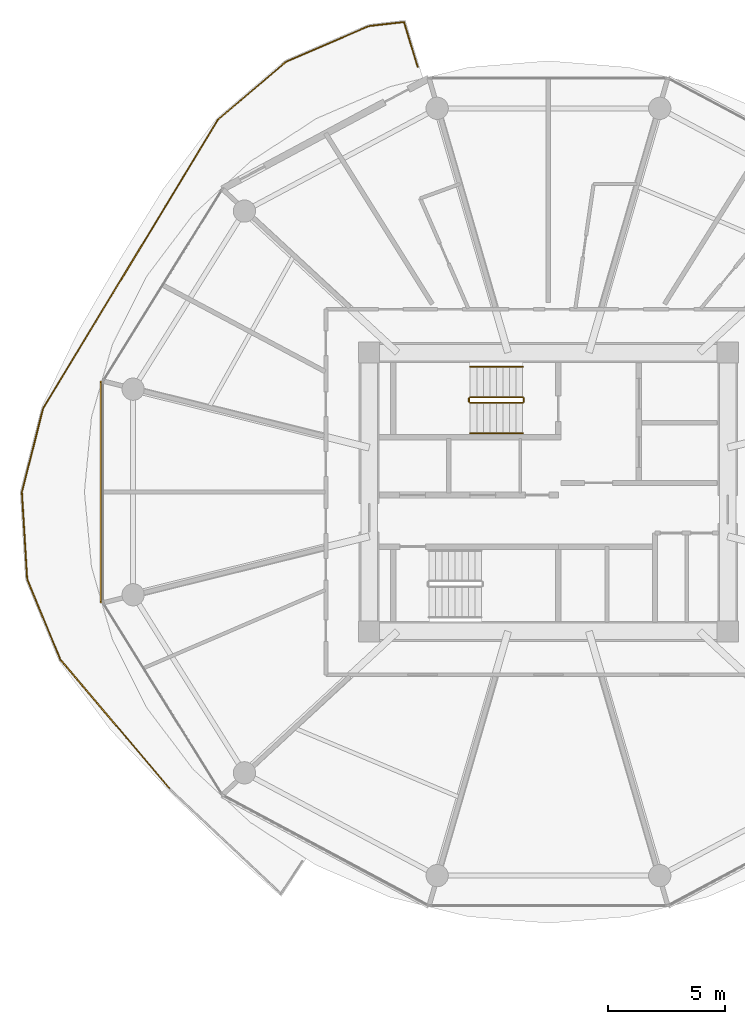
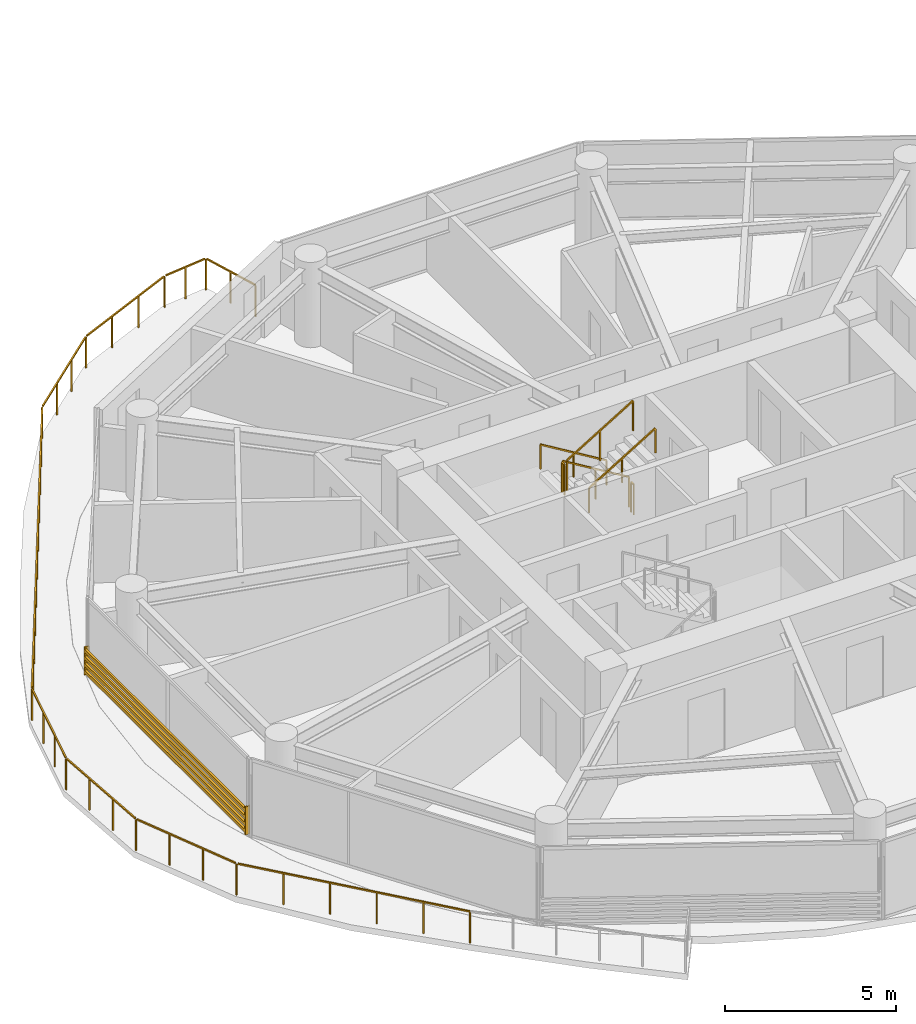
# One storey, part 24 of 27: 7 railings, 1 shading device.
"""IFC4 building model written with IfcOpenShell, lengths in metres."""

from ifc_helpers import new_model, si_unit, direction, frame, origin, origin_2d, place, context, subcontext, project, spatial, rectangle, extrude, source, transform, mapped, material, type_object, type_shapes, element, save


model = new_model("IFC4")

# Units and contexts
model_context = context("Model", 3, precision=1e-05, world=origin(), true_north=direction((0.0, 1.0)))
body_context = subcontext(model_context, "Body", "Model", "MODEL_VIEW")
ifc_project = project(units=[si_unit("LENGTHUNIT", "METRE"), si_unit("AREAUNIT", "SQUARE_METRE"), si_unit("VOLUMEUNIT", "CUBIC_METRE"), si_unit("PLANEANGLEUNIT", "RADIAN"), si_unit("MASSUNIT", "GRAM", prefix="KILO")], contexts=[model_context])

# Site, building, storey
site_placement = place(None, origin())
site = spatial("IfcSite", under=ifc_project, at=site_placement, CompositionType="ELEMENT")
building_placement = place(site_placement, origin())
building = spatial("IfcBuilding", under=site, at=building_placement, Name="Norrkilde Senior Care Towers", CompositionType="ELEMENT")
storey_placement = place(building_placement, frame((0.0, 0.0, 33.800048828125)))
storey = spatial("IfcBuildingStorey", under=building, at=storey_placement, Name="L09", CompositionType="ELEMENT", Elevation=33.800048828125)

# Railings
ifc_material_1 = material(Name="Anodised Aluminium", Category="aluminium")
railing_type_1 = type_object("IfcRailingType", Name="Balcony Swirl Ribbon Guardrail 1150", PredefinedType="GUARDRAIL", material=ifc_material_1)
railing_1_placement = place(storey_placement, frame((-44.135009765625, -12.69580078125, 0.0)))
element("IfcRailing", 1, at=railing_1_placement, inside=storey, type_object=railing_type_1, Name="L09 Perimeter Safety Guard 03", PredefinedType="GUARDRAIL", context=body_context, shape_type="SweptSolid", body=[
    extrude(rectangle(XDim=0.048095703125, YDim=0.048095703125, at=origin_2d()), frame((0.0, 0.0, 1.1259765625), z_axis=(-0.646341346736, 0.763048401806, 0.0), x_axis=(-0.763048401806, -0.646341346736, 0.0)), (0.0, 0.0, 1.0), 7.224365234375),
    extrude(rectangle(XDim=0.048095703125, YDim=0.048095703125, at=origin_2d()), frame((-4.71142578125, 5.58154296875, 1.1259765625), z_axis=(-0.380710181221, 0.92469441326, 0.0), x_axis=(-0.92469441326, -0.380710181221, 0.0)), (0.0, 0.0, 1.0), 3.636962890625),
    extrude(rectangle(XDim=0.048095703125, YDim=0.048095703125, at=origin_2d()), frame((-6.114013671875, 9.023193359375, 1.1259765625), z_axis=(-0.060564549995, 0.998164282713, 0.0), x_axis=(-0.998164282713, -0.060564549995, 0.0)), (0.0, 0.0, 1.0), 3.630859375),
    extrude(rectangle(XDim=0.048095703125, YDim=0.048095703125, at=origin_2d()), frame((-6.326416015625, 12.727783203125, 1.1259765625), z_axis=(0.245488683114, 0.969399456603, 0.0), x_axis=(-0.969399456603, 0.245488683114, 0.0)), (0.0, 0.0, 1.0), 3.61279296875),
    extrude(rectangle(XDim=0.048095703125, YDim=0.048095703125, at=origin_2d()), frame((-5.408203125, 16.3046875, 1.1259765625), z_axis=(0.518147953239, 0.855291002264, 0.0), x_axis=(-0.855291002264, 0.518147953239, 0.0)), (0.0, 0.0, 1.0), 14.311279296875),
    extrude(rectangle(XDim=0.048095703125, YDim=0.048095703125, at=origin_2d()), frame((2.059326171875, 28.606689453125, 1.1259765625), z_axis=(0.761313294417, 0.648384197636, 0.0), x_axis=(-0.648384197636, 0.761313294417, 0.0)), (0.0, 0.0, 1.0), 3.740478515625),
    extrude(rectangle(XDim=0.048095703125, YDim=0.048095703125, at=origin_2d()), frame((4.975830078125, 31.074462890625, 1.1259765625), z_axis=(0.918705497564, 0.394943298139, 0.0), x_axis=(-0.394943298139, 0.918705497564, 0.0)), (0.0, 0.0, 1.0), 3.773193359375),
    extrude(rectangle(XDim=0.048095703125, YDim=0.048095703125, at=origin_2d()), frame((8.520263671875, 32.58544921875, 1.1259765625), z_axis=(0.993588653544, 0.113055683401, 0.0), x_axis=(-0.113055683401, 0.993588653544, 0.0)), (0.0, 0.0, 1.0), 1.419189453125),
    extrude(rectangle(XDim=0.048095703125, YDim=0.048095703125, at=origin_2d()), frame((9.98291015625, 32.71142578125, 1.1259765625), z_axis=(0.290133159609, -0.956986285009, 0.0), x_axis=(0.956986285009, 0.290133159609, 0.0)), (0.0, 0.0, 1.0), 1.95263671875),
    extrude(rectangle(XDim=0.0419921875, YDim=0.0419921875, at=origin_2d()), origin(), (0.0, 0.0, 1.0), 1.099853515625),
    extrude(rectangle(XDim=0.0419921875, YDim=0.0419921875, at=origin_2d()), frame((-0.939208984375, 1.108642578125, 0.0)), (0.0, 0.0, 1.0), 1.099853515625),
    extrude(rectangle(XDim=0.0419921875, YDim=0.0419921875, at=origin_2d()), frame((-1.87841796875, 2.217529296875, 0.0)), (0.0, 0.0, 1.0), 1.099853515625),
    extrude(rectangle(XDim=0.0419921875, YDim=0.0419921875, at=origin_2d()), frame((-2.8173828125, 3.326171875, 0.0)), (0.0, 0.0, 1.0), 1.099853515625),
    extrude(rectangle(XDim=0.0419921875, YDim=0.0419921875, at=origin_2d()), frame((-3.756591796875, 4.43505859375, 0.0)), (0.0, 0.0, 1.0), 1.099853515625),
    extrude(rectangle(XDim=0.0419921875, YDim=0.0419921875, at=origin_2d()), frame((-4.69580078125, 5.543701171875, 0.0)), (0.0, 0.0, 1.0), 1.099853515625),
    extrude(rectangle(XDim=0.0419921875, YDim=0.0419921875, at=origin_2d()), frame((-5.167724609375, 6.68994140625, 0.0)), (0.0, 0.0, 1.0), 1.099853515625),
    extrude(rectangle(XDim=0.0419921875, YDim=0.0419921875, at=origin_2d()), frame((-5.6396484375, 7.836181640625, 0.0)), (0.0, 0.0, 1.0), 1.099853515625),
    extrude(rectangle(XDim=0.0419921875, YDim=0.0419921875, at=origin_2d()), frame((-6.111572265625, 8.982421875, 0.0)), (0.0, 0.0, 1.0), 1.099853515625),
    extrude(rectangle(XDim=0.0419921875, YDim=0.0419921875, at=origin_2d()), frame((-6.1865234375, 10.2177734375, 0.0)), (0.0, 0.0, 1.0), 1.099853515625),
    extrude(rectangle(XDim=0.0419921875, YDim=0.0419921875, at=origin_2d()), frame((-6.261474609375, 11.452880859375, 0.0)), (0.0, 0.0, 1.0), 1.099853515625),
    extrude(rectangle(XDim=0.0419921875, YDim=0.0419921875, at=origin_2d()), frame((-6.33642578125, 12.688232421875, 0.0)), (0.0, 0.0, 1.0), 1.099853515625),
    extrude(rectangle(XDim=0.0419921875, YDim=0.0419921875, at=origin_2d()), frame((-6.0341796875, 13.882080078125, 0.0)), (0.0, 0.0, 1.0), 1.099853515625),
    extrude(rectangle(XDim=0.0419921875, YDim=0.0419921875, at=origin_2d()), frame((-5.731689453125, 15.075927734375, 0.0)), (0.0, 0.0, 1.0), 1.099853515625),
    extrude(rectangle(XDim=0.0419921875, YDim=0.0419921875, at=origin_2d()), frame((-5.429443359375, 16.269775390625, 0.0)), (0.0, 0.0, 1.0), 1.099853515625),
    extrude(rectangle(XDim=0.0419921875, YDim=0.0419921875, at=origin_2d()), frame((-4.68359375, 17.500732421875, 0.0)), (0.0, 0.0, 1.0), 1.099853515625),
    extrude(rectangle(XDim=0.0419921875, YDim=0.0419921875, at=origin_2d()), frame((-3.93798828125, 18.73193359375, 0.0)), (0.0, 0.0, 1.0), 1.099853515625),
    extrude(rectangle(XDim=0.0419921875, YDim=0.0419921875, at=origin_2d()), frame((-3.192138671875, 19.962890625, 0.0)), (0.0, 0.0, 1.0), 1.099853515625),
    extrude(rectangle(XDim=0.0419921875, YDim=0.0419921875, at=origin_2d()), frame((-2.4462890625, 21.19384765625, 0.0)), (0.0, 0.0, 1.0), 1.099853515625),
    extrude(rectangle(XDim=0.0419921875, YDim=0.0419921875, at=origin_2d()), frame((-1.70068359375, 22.4248046875, 0.0)), (0.0, 0.0, 1.0), 1.099853515625),
    extrude(rectangle(XDim=0.0419921875, YDim=0.0419921875, at=origin_2d()), frame((-0.954833984375, 23.656005859375, 0.0)), (0.0, 0.0, 1.0), 1.099853515625),
    extrude(rectangle(XDim=0.0419921875, YDim=0.0419921875, at=origin_2d()), frame((-0.208984375, 24.886962890625, 0.0)), (0.0, 0.0, 1.0), 1.099853515625),
    extrude(rectangle(XDim=0.0419921875, YDim=0.0419921875, at=origin_2d()), frame((0.536865234375, 26.117919921875, 0.0)), (0.0, 0.0, 1.0), 1.099853515625),
    extrude(rectangle(XDim=0.0419921875, YDim=0.0419921875, at=origin_2d()), frame((1.282470703125, 27.34912109375, 0.0)), (0.0, 0.0, 1.0), 1.099853515625),
    extrude(rectangle(XDim=0.0419921875, YDim=0.0419921875, at=origin_2d()), frame((2.0283203125, 28.580078125, 0.0)), (0.0, 0.0, 1.0), 1.099853515625),
    extrude(rectangle(XDim=0.0419921875, YDim=0.0419921875, at=origin_2d()), frame((2.998291015625, 29.40625, 0.0)), (0.0, 0.0, 1.0), 1.099853515625),
    extrude(rectangle(XDim=0.0419921875, YDim=0.0419921875, at=origin_2d()), frame((3.96826171875, 30.232177734375, 0.0)), (0.0, 0.0, 1.0), 1.099853515625),
    extrude(rectangle(XDim=0.0419921875, YDim=0.0419921875, at=origin_2d()), frame((4.938232421875, 31.058349609375, 0.0)), (0.0, 0.0, 1.0), 1.099853515625),
    extrude(rectangle(XDim=0.0419921875, YDim=0.0419921875, at=origin_2d()), frame((6.11865234375, 31.56591796875, 0.0)), (0.0, 0.0, 1.0), 1.099853515625),
    extrude(rectangle(XDim=0.0419921875, YDim=0.0419921875, at=origin_2d()), frame((7.29931640625, 32.0732421875, 0.0)), (0.0, 0.0, 1.0), 1.099853515625),
    extrude(rectangle(XDim=0.0419921875, YDim=0.0419921875, at=origin_2d()), frame((8.479736328125, 32.580810546875, 0.0)), (0.0, 0.0, 1.0), 1.099853515625),
    extrude(rectangle(XDim=0.0419921875, YDim=0.0419921875, at=origin_2d()), frame((9.225341796875, 32.66552734375, 0.0)), (0.0, 0.0, 1.0), 1.099853515625),
    extrude(rectangle(XDim=0.0419921875, YDim=0.0419921875, at=origin_2d()), frame((9.970947265625, 32.75048828125, 0.0)), (0.0, 0.0, 1.0), 1.099853515625),
    extrude(rectangle(XDim=0.0419921875, YDim=0.0419921875, at=origin_2d()), frame((10.26025390625, 31.796630859375, 0.0)), (0.0, 0.0, 1.0), 1.099853515625),
    extrude(rectangle(XDim=0.0419921875, YDim=0.0419921875, at=origin_2d()), frame((10.54931640625, 30.8427734375, 0.0)), (0.0, 0.0, 1.0), 1.099853515625),
])
ifc_material_2 = material(Name="Stainless Steel", Category="steel")
railing_type_2 = type_object("IfcRailingType", Name="Stair and Terrace Guardrail 1100", PredefinedType="GUARDRAIL", material=ifc_material_2)
railing_2_placement = place(storey_placement, frame((-29.10009765625, 4.050048828125, 0.16943359375)))
element("IfcRailing", 2, at=railing_2_placement, inside=storey, type_object=railing_type_2, Name="L09 ST-W1 stair guard 1", PredefinedType="GUARDRAIL", context=body_context, shape_type="SweptSolid", body=[
    extrude(rectangle(XDim=0.048095703125, YDim=0.048095703125, at=origin_2d()), frame((0.0, 0.0, 1.076171875), z_axis=(-0.855553338991, 0.0, 0.51771467445), x_axis=(0.0, -1.0, 0.0)), (0.0, 0.0, 1.0), 2.6181640625),
    extrude(rectangle(XDim=0.0419921875, YDim=0.0419921875, at=origin_2d()), origin(), (0.0, 0.0, 1.0), 1.050048828125),
    extrude(rectangle(XDim=0.0419921875, YDim=0.0419921875, at=origin_2d()), frame((-1.1201171875, 0.0, 0.677734375)), (0.0, 0.0, 1.0), 1.050048828125),
    extrude(rectangle(XDim=0.0419921875, YDim=0.0419921875, at=origin_2d()), frame((-2.239990234375, 0.0, 1.35546875)), (0.0, 0.0, 1.0), 1.050048828125),
])
railing_3_placement = place(storey_placement, frame((-31.389892578125, 4.0, 1.52490234375)))
element("IfcRailing", 3, at=railing_3_placement, inside=storey, type_object=railing_type_2, Name="L09 ST-W1 stair guard 2", PredefinedType="GUARDRAIL", context=body_context, shape_type="SweptSolid", body=[
    extrude(rectangle(XDim=0.048095703125, YDim=0.048095703125, at=origin_2d()), frame((0.0, 0.0, 1.076171875), z_axis=(0.0, -1.0, 0.0), x_axis=(1.0, 0.0, 0.0)), (0.0, 0.0, 1.0), 0.14990234375),
    extrude(rectangle(XDim=0.0419921875, YDim=0.0419921875, at=origin_2d()), origin(), (0.0, 0.0, 1.0), 1.050048828125),
    extrude(rectangle(XDim=0.0419921875, YDim=0.0419921875, at=origin_2d()), frame((0.0, -0.14990234375, 0.0)), (0.0, 0.0, 1.0), 1.050048828125),
])
railing_4_placement = place(storey_placement, frame((-31.340087890625, 3.800048828125, 1.6943359375)))
element("IfcRailing", 4, at=railing_4_placement, inside=storey, type_object=railing_type_2, Name="L09 ST-W1 stair guard 3", PredefinedType="GUARDRAIL", context=body_context, shape_type="SweptSolid", body=[
    extrude(rectangle(XDim=0.048095703125, YDim=0.048095703125, at=origin_2d()), frame((0.0, 0.0, 1.076171875), z_axis=(0.855512035549, 0.0, 0.517782924622), x_axis=(0.0, 1.0, 0.0)), (0.0, 0.0, 1.0), 2.618408203125),
    extrude(rectangle(XDim=0.0419921875, YDim=0.0419921875, at=origin_2d()), origin(), (0.0, 0.0, 1.0), 1.050048828125),
    extrude(rectangle(XDim=0.0419921875, YDim=0.0419921875, at=origin_2d()), frame((1.1201171875, 0.0, 0.677734375)), (0.0, 0.0, 1.0), 1.050048828125),
    extrude(rectangle(XDim=0.0419921875, YDim=0.0419921875, at=origin_2d()), frame((2.239990234375, 0.0, 1.355712890625)), (0.0, 0.0, 1.0), 1.050048828125),
])
railing_5_placement = place(storey_placement, frame((-29.050048828125, 4.0, 0.0)))
element("IfcRailing", 5, at=railing_5_placement, inside=storey, type_object=railing_type_2, Name="L09 ST-W1 stair guard 4", PredefinedType="GUARDRAIL", context=body_context, shape_type="SweptSolid", body=[
    extrude(rectangle(XDim=0.048095703125, YDim=0.048095703125, at=origin_2d()), frame((0.0, 0.0, 1.076171875), z_axis=(0.0, -1.0, 0.0), x_axis=(1.0, 0.0, 0.0)), (0.0, 0.0, 1.0), 0.14990234375),
    extrude(rectangle(XDim=0.0419921875, YDim=0.0419921875, at=origin_2d()), origin(), (0.0, 0.0, 1.0), 1.050048828125),
    extrude(rectangle(XDim=0.0419921875, YDim=0.0419921875, at=origin_2d()), frame((0.0, -0.14990234375, 0.0)), (0.0, 0.0, 1.0), 1.050048828125),
])
ifc_material_3 = material(Name="Nordic Ash Timber", Category="wood")
railing_type_3 = type_object("IfcRailingType", Name="Wall and Stair Handrail 900", PredefinedType="HANDRAIL", material=ifc_material_3)
railing_6_placement = place(storey_placement, frame((-29.10009765625, 5.35009765625, 0.16943359375)))
element("IfcRailing", 6, at=railing_6_placement, inside=storey, type_object=railing_type_3, Name="L09 ST-W1 stair handrail 1", PredefinedType="HANDRAIL", context=body_context, shape_type="SweptSolid", body=[
    extrude(rectangle(XDim=0.048095703125, YDim=0.048095703125, at=origin_2d()), frame((0.0, 0.0, 0.8759765625), z_axis=(-0.855553338991, 0.0, 0.51771467445), x_axis=(0.0, -1.0, 0.0)), (0.0, 0.0, 1.0), 2.6181640625),
    extrude(rectangle(XDim=0.0419921875, YDim=0.0419921875, at=origin_2d()), origin(), (0.0, 0.0, 1.0), 0.849853515625),
    extrude(rectangle(XDim=0.0419921875, YDim=0.0419921875, at=origin_2d()), frame((-1.1201171875, 0.0, 0.677734375)), (0.0, 0.0, 1.0), 0.849853515625),
    extrude(rectangle(XDim=0.0419921875, YDim=0.0419921875, at=origin_2d()), frame((-2.239990234375, 0.0, 1.35546875)), (0.0, 0.0, 1.0), 0.849853515625),
])
railing_7_placement = place(storey_placement, frame((-31.340087890625, 2.5, 1.6943359375)))
element("IfcRailing", 7, at=railing_7_placement, inside=storey, type_object=railing_type_3, Name="L09 ST-W1 stair handrail 2", PredefinedType="HANDRAIL", context=body_context, shape_type="SweptSolid", body=[
    extrude(rectangle(XDim=0.048095703125, YDim=0.048095703125, at=origin_2d()), frame((0.0, 0.0, 0.8759765625), z_axis=(0.855512035549, 0.0, 0.517782924622), x_axis=(0.0, 1.0, 0.0)), (0.0, 0.0, 1.0), 2.618408203125),
    extrude(rectangle(XDim=0.0419921875, YDim=0.0419921875, at=origin_2d()), origin(), (0.0, 0.0, 1.0), 0.849853515625),
    extrude(rectangle(XDim=0.0419921875, YDim=0.0419921875, at=origin_2d()), frame((1.1201171875, 0.0, 0.677734375)), (0.0, 0.0, 1.0), 0.849853515625),
    extrude(rectangle(XDim=0.0419921875, YDim=0.0419921875, at=origin_2d()), frame((2.239990234375, 0.0, 1.355712890625)), (0.0, 0.0, 1.0), 0.849853515625),
])

# Shading device
ifc_material_4 = material(Name="Architectural Terracotta", Category="masonry")
shading_device_type = type_object("IfcShadingDeviceType", Name="Horizontal Terracotta Baguette Rack", PredefinedType="USERDEFINED", material=ifc_material_4)
shared_shape = source(origin(), body_context, "Body", "SweptSolid", [
    extrude(rectangle(XDim=0.070068359375, YDim=0.110107421875, at=origin_2d()), frame((0.0, 0.090087890625, 0.125), z_axis=(1.0, 0.0, 0.0), x_axis=(0.0, 1.0, 0.0)), (0.0, 0.0, 1.0), 9.46240234375),
    extrude(rectangle(XDim=0.070068359375, YDim=0.110107421875, at=origin_2d()), frame((0.0, 0.090087890625, 0.375), z_axis=(1.0, 0.0, 0.0), x_axis=(0.0, 1.0, 0.0)), (0.0, 0.0, 1.0), 9.46240234375),
    extrude(rectangle(XDim=0.070068359375, YDim=0.110107421875, at=origin_2d()), frame((0.0, 0.090087890625, 0.625), z_axis=(1.0, 0.0, 0.0), x_axis=(0.0, 1.0, 0.0)), (0.0, 0.0, 1.0), 9.46240234375),
    extrude(rectangle(XDim=0.070068359375, YDim=0.110107421875, at=origin_2d()), frame((0.0, 0.090087890625, 0.875), z_axis=(1.0, 0.0, 0.0), x_axis=(0.0, 1.0, 0.0)), (0.0, 0.0, 1.0), 9.46240234375),
    extrude(rectangle(XDim=0.050048828125, YDim=0.1552734375, at=origin_2d()), frame((0.02490234375, 0.047607421875, 0.0)), (0.0, 0.0, 1.0), 1.0),
    extrude(rectangle(XDim=0.050048828125, YDim=0.1552734375, at=origin_2d()), frame((9.4375, 0.047607421875, 0.0)), (0.0, 0.0, 1.0), 1.0),
])
type_shapes(shading_device_type, [shared_shape])
shading_device_placement = place(storey_placement, frame((-47.009521484375, -4.731201171875, 0.079833984375), z_axis=(0.0, 0.0, 1.0), x_axis=(0.0, 1.0, 0.0)))
element("IfcShadingDevice", 8, at=shading_device_placement, inside=storey, type_object=shading_device_type, Name="L09 Drum W Terracotta Baguette Screen 05", ObjectType="BAGUETTE", PredefinedType="USERDEFINED", context=body_context, shape_type="MappedRepresentation", body=[
    mapped(shared_shape, transform((0.0, 0.0, 0.0), x_axis=(1.0, 0.0, 0.0), y_axis=(0.0, 1.0, 0.0), z_axis=(0.0, 0.0, 1.0), scale=1.0)),
])

save(model, "model.ifc")
